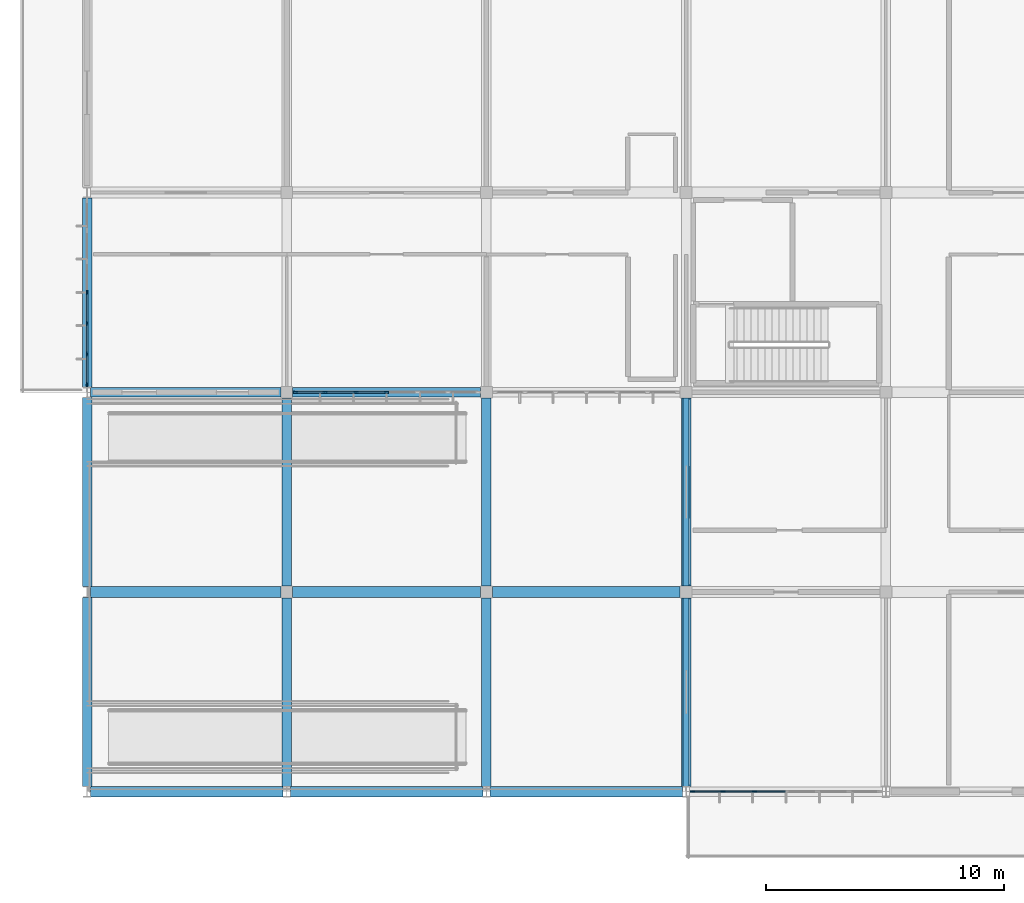
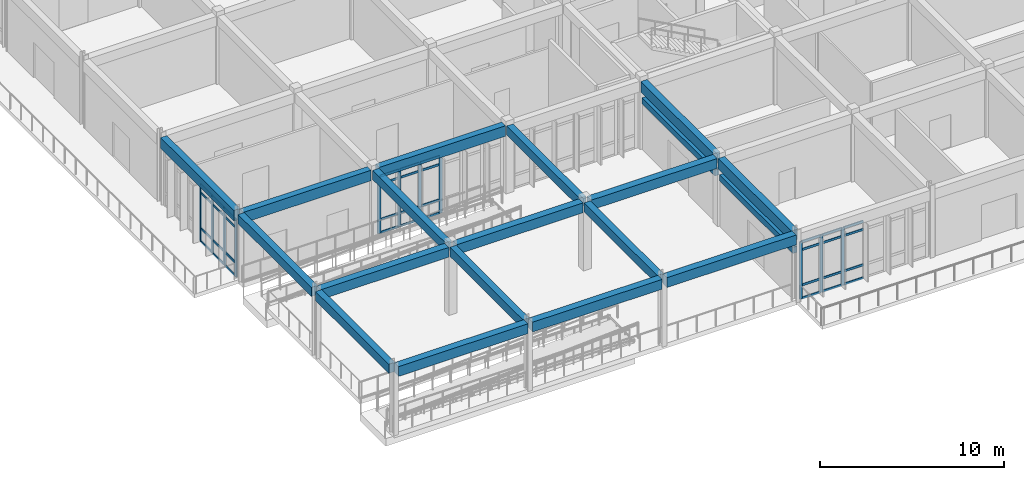
# One storey, part 10 of 138: 47 members, 19 beams, 3 elements without a shape of their own.
"""IFC4 building model written with IfcOpenShell, lengths in metres."""

from ifc_helpers import new_model, si_unit, direction, frame, origin, origin_2d, place, context, subcontext, project, spatial, rectangle, extrude, material, layer, layer_set, material_profile, profile_set, type_object, element, aggregate, save


model = new_model("IFC4")

# Units and contexts
model_context = context("Model", 3, precision=1e-05, world=origin(), true_north=direction((0.0, 1.0)))
body_context = subcontext(model_context, "Body", "Model", "MODEL_VIEW")
ifc_project = project(units=[si_unit("LENGTHUNIT", "METRE"), si_unit("AREAUNIT", "SQUARE_METRE"), si_unit("VOLUMEUNIT", "CUBIC_METRE"), si_unit("PLANEANGLEUNIT", "RADIAN"), si_unit("MASSUNIT", "GRAM", prefix="KILO")], contexts=[model_context])

# Site, building, storey
site_placement = place(None, origin())
site = spatial("IfcSite", under=ifc_project, at=site_placement, CompositionType="ELEMENT")
building_placement = place(site_placement, origin())
building = spatial("IfcBuilding", under=site, at=building_placement, Name="Bramfleet General Hospital", CompositionType="ELEMENT")
storey_placement = place(building_placement, origin())
storey = spatial("IfcBuildingStorey", under=building, at=storey_placement, Name="L00", CompositionType="ELEMENT", Elevation=0.0)

# Beams
ifc_material_1 = material(Name="Concrete C35/45", Category="concrete")
ifc_material_profile_1 = material_profile(ifc_material_1, rectangle(XDim=0.25, YDim=0.39990234375, at=origin_2d()), Name="RC LN 400x250")
ifc_profile_set_1 = profile_set([ifc_material_profile_1], Name="Concrete C35/45")
beam_type_1 = type_object("IfcBeamType", Name="BM-LN400", PredefinedType="LINTEL", material=ifc_profile_set_1)
beam_1_placement = place(storey_placement, frame((25.199951171875, 0.199951171875, 3.199951171875), z_axis=(0.0, 1.0, 0.0), x_axis=(-1.0, 0.0, 0.0)))
element("IfcBeam", 1, at=beam_1_placement, inside=storey, type_object=beam_type_1, Name="Portal Opening Lintel LN-L00-AMB-1", PredefinedType="LINTEL", context=body_context, shape_type="SweptSolid", body=[
    extrude(rectangle(XDim=0.25, YDim=0.39990234375, at=origin_2d()), origin(), (0.0, 0.0, 1.0), 7.949951171875),
])
beam_2_placement = place(storey_placement, frame((25.199951171875, 8.64990234375, 3.199951171875), z_axis=(0.0, 1.0, 0.0), x_axis=(-1.0, 0.0, 0.0)))
element("IfcBeam", 2, at=beam_2_placement, inside=storey, type_object=beam_type_1, Name="Portal Opening Lintel LN-L00-AMB-2", PredefinedType="LINTEL", context=body_context, shape_type="SweptSolid", body=[
    extrude(rectangle(XDim=0.25, YDim=0.39990234375, at=origin_2d()), origin(), (0.0, 0.0, 1.0), 7.900146484375),
])
ifc_material_profile_2 = material_profile(ifc_material_1, rectangle(XDim=0.39990234375, YDim=0.60009765625, at=origin_2d()), Name="RC BM 600x400")
ifc_profile_set_2 = profile_set([ifc_material_profile_2], Name="Concrete C35/45")
beam_type_2 = type_object("IfcBeamType", Name="BM-RC600", PredefinedType="BEAM", material=ifc_profile_set_2)
for number, where, z_axis, x_axis, name in (
    (3, (0.0, 0.22509765625, 4.199951171875), (0.0, 1.0, 0.0), (-1.0, 0.0, 0.0), "L00 Grid Beam Y 00-00"),
    (4, (0.0, 8.625, 4.199951171875), (0.0, 1.0, 0.0), (-1.0, 0.0, 0.0), "L00 Grid Beam Y 00-01"),
):
    element("IfcBeam", number, at=place(storey_placement, frame(where, z_axis=z_axis, x_axis=x_axis)), inside=storey, type_object=beam_type_2, Name=name, PredefinedType="BEAM", context=body_context, shape_type="SweptSolid", body=[
        extrude(rectangle(XDim=0.39990234375, YDim=0.60009765625, at=origin_2d()), origin(), (0.0, 0.0, 1.0), 7.949951171875),
    ])
beam_3_placement = place(storey_placement, frame((8.39990234375, 0.22509765625, 4.199951171875), z_axis=(0.0, 1.0, 0.0), x_axis=(-1.0, 0.0, 0.0)))
element("IfcBeam", 5, at=beam_3_placement, inside=storey, type_object=beam_type_2, Name="L00 Grid Beam Y 01-00", PredefinedType="BEAM", context=body_context, shape_type="SweptSolid", body=[
    extrude(rectangle(XDim=0.39990234375, YDim=0.60009765625, at=origin_2d()), origin(), (0.0, 0.0, 1.0), 7.9248046875),
])
beam_4_placement = place(storey_placement, frame((8.39990234375, 8.64990234375, 4.199951171875), z_axis=(0.0, 1.0, 0.0), x_axis=(-1.0, 0.0, 0.0)))
element("IfcBeam", 6, at=beam_4_placement, inside=storey, type_object=beam_type_2, Name="L00 Grid Beam Y 01-01", PredefinedType="BEAM", context=body_context, shape_type="SweptSolid", body=[
    extrude(rectangle(XDim=0.39990234375, YDim=0.60009765625, at=origin_2d()), origin(), (0.0, 0.0, 1.0), 7.900146484375),
])
beam_5_placement = place(storey_placement, frame((16.800048828125, 0.22509765625, 4.199951171875), z_axis=(0.0, 1.0, 0.0), x_axis=(-1.0, 0.0, 0.0)))
element("IfcBeam", 7, at=beam_5_placement, inside=storey, type_object=beam_type_2, Name="L00 Grid Beam Y 02-00", PredefinedType="BEAM", context=body_context, shape_type="SweptSolid", body=[
    extrude(rectangle(XDim=0.39990234375, YDim=0.60009765625, at=origin_2d()), origin(), (0.0, 0.0, 1.0), 7.9248046875),
])
beam_6_placement = place(storey_placement, frame((16.800048828125, 8.64990234375, 4.199951171875), z_axis=(0.0, 1.0, 0.0), x_axis=(-1.0, 0.0, 0.0)))
element("IfcBeam", 8, at=beam_6_placement, inside=storey, type_object=beam_type_2, Name="L00 Grid Beam Y 02-01", PredefinedType="BEAM", context=body_context, shape_type="SweptSolid", body=[
    extrude(rectangle(XDim=0.39990234375, YDim=0.60009765625, at=origin_2d()), origin(), (0.0, 0.0, 1.0), 7.900146484375),
])
ifc_material_profile_3 = material_profile(ifc_material_1, rectangle(XDim=0.449951171875, YDim=0.64990234375, at=origin_2d()), Name="RC BM 650x450")
ifc_profile_set_3 = profile_set([ifc_material_profile_3], Name="Concrete C35/45")
beam_type_3 = type_object("IfcBeamType", Name="BM-RC650", PredefinedType="BEAM", material=ifc_profile_set_3)
beam_7_placement = place(storey_placement, frame((0.14990234375, 0.0, 4.175048828125), z_axis=(1.0, 0.0, 0.0), x_axis=(0.0, 1.0, 0.0)))
element("IfcBeam", 9, at=beam_7_placement, inside=storey, type_object=beam_type_3, Name="L00 Grid Beam X 00-00", PredefinedType="BEAM", context=body_context, shape_type="SweptSolid", body=[
    extrude(rectangle(XDim=0.449951171875, YDim=0.64990234375, at=origin_2d()), origin(), (0.0, 0.0, 1.0), 8.10009765625),
])
beam_8_placement = place(storey_placement, frame((0.14990234375, 8.39990234375, 4.175048828125), z_axis=(1.0, 0.0, 0.0), x_axis=(0.0, 1.0, 0.0)))
element("IfcBeam", 10, at=beam_8_placement, inside=storey, type_object=beam_type_3, Name="L00 Grid Beam X 00-01", PredefinedType="BEAM", context=body_context, shape_type="SweptSolid", body=[
    extrude(rectangle(XDim=0.449951171875, YDim=0.64990234375, at=origin_2d()), origin(), (0.0, 0.0, 1.0), 8.0),
])
beam_9_placement = place(storey_placement, frame((8.550048828125, 0.0, 4.175048828125), z_axis=(1.0, 0.0, 0.0), x_axis=(0.0, 1.0, 0.0)))
element("IfcBeam", 11, at=beam_9_placement, inside=storey, type_object=beam_type_3, Name="L00 Grid Beam X 01-00", PredefinedType="BEAM", context=body_context, shape_type="SweptSolid", body=[
    extrude(rectangle(XDim=0.449951171875, YDim=0.64990234375, at=origin_2d()), origin(), (0.0, 0.0, 1.0), 8.099853515625),
])
beam_10_placement = place(storey_placement, frame((8.64990234375, 8.39990234375, 4.175048828125), z_axis=(1.0, 0.0, 0.0), x_axis=(0.0, 1.0, 0.0)))
element("IfcBeam", 12, at=beam_10_placement, inside=storey, type_object=beam_type_3, Name="L00 Grid Beam X 01-01", PredefinedType="BEAM", context=body_context, shape_type="SweptSolid", body=[
    extrude(rectangle(XDim=0.449951171875, YDim=0.64990234375, at=origin_2d()), origin(), (0.0, 0.0, 1.0), 7.900146484375),
])
beam_11_placement = place(storey_placement, frame((16.949951171875, 0.0, 4.175048828125), z_axis=(1.0, 0.0, 0.0), x_axis=(0.0, 1.0, 0.0)))
element("IfcBeam", 13, at=beam_11_placement, inside=storey, type_object=beam_type_3, Name="L00 Grid Beam X 02-00", PredefinedType="BEAM", context=body_context, shape_type="SweptSolid", body=[
    extrude(rectangle(XDim=0.449951171875, YDim=0.64990234375, at=origin_2d()), origin(), (0.0, 0.0, 1.0), 8.10009765625),
])
beam_12_placement = place(storey_placement, frame((17.050048828125, 8.39990234375, 4.175048828125), z_axis=(1.0, 0.0, 0.0), x_axis=(0.0, 1.0, 0.0)))
element("IfcBeam", 14, at=beam_12_placement, inside=storey, type_object=beam_type_3, Name="L00 Grid Beam X 02-01", PredefinedType="BEAM", context=body_context, shape_type="SweptSolid", body=[
    extrude(rectangle(XDim=0.449951171875, YDim=0.64990234375, at=origin_2d()), origin(), (0.0, 0.0, 1.0), 7.89990234375),
])
ifc_material_profile_4 = material_profile(ifc_material_1, rectangle(XDim=0.39990234375, YDim=0.699951171875, at=origin_2d()), Name="RC SP 700x400")
ifc_profile_set_4 = profile_set([ifc_material_profile_4], Name="Concrete C35/45")
beam_type_4 = type_object("IfcBeamType", Name="BM-SP700", PredefinedType="SPANDREL", material=ifc_profile_set_4)
beam_13_placement = place(storey_placement, frame((0.14990234375, 16.800048828125, 4.14990234375), z_axis=(1.0, 0.0, 0.0), x_axis=(0.0, 1.0, 0.0)))
element("IfcBeam", 15, at=beam_13_placement, inside=storey, type_object=beam_type_4, Name="L00 Grid Beam X 00-02", PredefinedType="SPANDREL", context=body_context, shape_type="SweptSolid", body=[
    extrude(rectangle(XDim=0.39990234375, YDim=0.699951171875, at=origin_2d()), origin(), (0.0, 0.0, 1.0), 8.0),
])
beam_14_placement = place(storey_placement, frame((8.64990234375, 16.800048828125, 4.14990234375), z_axis=(1.0, 0.0, 0.0), x_axis=(0.0, 1.0, 0.0)))
element("IfcBeam", 16, at=beam_14_placement, inside=storey, type_object=beam_type_4, Name="L00 Grid Beam X 01-02", PredefinedType="SPANDREL", context=body_context, shape_type="SweptSolid", body=[
    extrude(rectangle(XDim=0.39990234375, YDim=0.699951171875, at=origin_2d()), origin(), (0.0, 0.0, 1.0), 7.900146484375),
])
beam_15_placement = place(storey_placement, frame((0.0, 17.02490234375, 4.14990234375), z_axis=(0.0, 1.0, 0.0), x_axis=(-1.0, 0.0, 0.0)))
element("IfcBeam", 17, at=beam_15_placement, inside=storey, type_object=beam_type_4, Name="L00 Grid Beam Y 00-02", PredefinedType="SPANDREL", context=body_context, shape_type="SweptSolid", body=[
    extrude(rectangle(XDim=0.39990234375, YDim=0.699951171875, at=origin_2d()), origin(), (0.0, 0.0, 1.0), 7.9501953125),
])
beam_16_placement = place(storey_placement, frame((25.199951171875, 0.22509765625, 4.14990234375), z_axis=(0.0, 1.0, 0.0), x_axis=(-1.0, 0.0, 0.0)))
element("IfcBeam", 18, at=beam_16_placement, inside=storey, type_object=beam_type_4, Name="L00 Grid Beam Y 03-00", PredefinedType="SPANDREL", context=body_context, shape_type="SweptSolid", body=[
    extrude(rectangle(XDim=0.39990234375, YDim=0.699951171875, at=origin_2d()), origin(), (0.0, 0.0, 1.0), 7.9248046875),
])
beam_17_placement = place(storey_placement, frame((25.199951171875, 8.64990234375, 4.14990234375), z_axis=(0.0, 1.0, 0.0), x_axis=(-1.0, 0.0, 0.0)))
element("IfcBeam", 19, at=beam_17_placement, inside=storey, type_object=beam_type_4, Name="L00 Grid Beam Y 03-01", PredefinedType="SPANDREL", context=body_context, shape_type="SweptSolid", body=[
    extrude(rectangle(XDim=0.39990234375, YDim=0.699951171875, at=origin_2d()), origin(), (0.0, 0.0, 1.0), 7.900146484375),
])

# Curtain wall, members
ifc_material_2 = material(Name="Anodised aluminium and low-E triple glazing", Category="aluminium")
ifc_layer_1 = layer(ifc_material_2, 0.179931640625, Name="CWT-CW-02")
ifc_layer_set_1 = layer_set([ifc_layer_1], Name="Anodised aluminium and low-E triple glazing")
curtain_wall_type_1 = type_object("IfcCurtainWallType", Name="CWT-CW-02", PredefinedType="USERDEFINED", material=ifc_layer_set_1)
curtain_wall_1_placement = place(storey_placement, origin())
curtain_wall_1 = element("IfcCurtainWall", 20, at=curtain_wall_1_placement, inside=storey, type_object=curtain_wall_type_1, Name="L00 Curtain Wall 38", ObjectType="Unitised curtain wall", PredefinedType="USERDEFINED")
ifc_material_3 = material(Name="Structural timber GL28h", Category="wood")
ifc_material_profile_5 = material_profile(ifc_material_3, rectangle(XDim=0.070068359375, YDim=0.18994140625, at=origin_2d()), Name="LARCH 190x70")
ifc_profile_set_5 = profile_set([ifc_material_profile_5], Name="Structural timber GL28h")
member_type_1 = type_object("IfcMemberType", Name="CWM-LARCH450", PredefinedType="MULLION", material=ifc_profile_set_5)
member_1_placement = place(storey_placement, frame((28.074951171875, 0.0, 0.0), z_axis=(0.0, 0.0, 1.0), x_axis=(0.0, -1.0, 0.0)))
member_1 = element("IfcMember", 21, at=member_1_placement, type_object=member_type_1, Name="CW-02 mullion 5", PredefinedType="MULLION", context=body_context, shape_type="SweptSolid", body=[
    extrude(rectangle(XDim=0.070068359375, YDim=0.18994140625, at=origin_2d()), origin(), (0.0, 0.0, 1.0), 3.7900390625),
])
member_2_placement = place(storey_placement, frame((26.75, 0.0, 0.0), z_axis=(0.0, 0.0, 1.0), x_axis=(0.0, -1.0, 0.0)))
member_2 = element("IfcMember", 22, at=member_2_placement, type_object=member_type_1, Name="CW-02 mullion 6", PredefinedType="MULLION", context=body_context, shape_type="SweptSolid", body=[
    extrude(rectangle(XDim=0.070068359375, YDim=0.18994140625, at=origin_2d()), origin(), (0.0, 0.0, 1.0), 3.7900390625),
])
member_3_placement = place(storey_placement, frame((25.4599609375, 0.0, 0.0), z_axis=(0.0, 0.0, 1.0), x_axis=(0.0, -1.0, 0.0)))
member_3 = element("IfcMember", 23, at=member_3_placement, type_object=member_type_1, Name="CW-02 mullion 7", PredefinedType="MULLION", context=body_context, shape_type="SweptSolid", body=[
    extrude(rectangle(XDim=0.070068359375, YDim=0.18994140625, at=origin_2d()), origin(), (0.0, 0.0, 1.0), 3.7900390625),
])

ifc_layer_2 = layer(ifc_material_2, 0.179931640625, Name="CWT-CW-04")
ifc_layer_set_2 = layer_set([ifc_layer_2], Name="Anodised aluminium and low-E triple glazing")
curtain_wall_type_2 = type_object("IfcCurtainWallType", Name="CWT-CW-04", PredefinedType="USERDEFINED", material=ifc_layer_set_2)
curtain_wall_2_placement = place(storey_placement, origin())
curtain_wall_2 = element("IfcCurtainWall", 24, at=curtain_wall_2_placement, inside=storey, type_object=curtain_wall_type_2, Name="L00 Curtain Wall 40", ObjectType="Unitised curtain wall", PredefinedType="USERDEFINED")
member_4_placement = place(storey_placement, frame((12.60009765625, 16.800048828125, 0.0), z_axis=(0.0, 0.0, 1.0), x_axis=(0.0, -1.0, 0.0)))
member_4 = element("IfcMember", 25, at=member_4_placement, type_object=member_type_1, Name="CW-04 mullion 4", PredefinedType="MULLION", context=body_context, shape_type="SweptSolid", body=[
    extrude(rectangle(XDim=0.070068359375, YDim=0.18994140625, at=origin_2d()), origin(), (0.0, 0.0, 1.0), 3.7900390625),
])
member_5_placement = place(storey_placement, frame((11.308349609375, 16.800048828125, 0.0), z_axis=(0.0, 0.0, 1.0), x_axis=(0.0, -1.0, 0.0)))
member_5 = element("IfcMember", 26, at=member_5_placement, type_object=member_type_1, Name="CW-04 mullion 5", PredefinedType="MULLION", context=body_context, shape_type="SweptSolid", body=[
    extrude(rectangle(XDim=0.070068359375, YDim=0.18994140625, at=origin_2d()), origin(), (0.0, 0.0, 1.0), 3.7900390625),
])
member_6_placement = place(storey_placement, frame((10.0166015625, 16.800048828125, 0.0), z_axis=(0.0, 0.0, 1.0), x_axis=(0.0, -1.0, 0.0)))
member_6 = element("IfcMember", 27, at=member_6_placement, type_object=member_type_1, Name="CW-04 mullion 6", PredefinedType="MULLION", context=body_context, shape_type="SweptSolid", body=[
    extrude(rectangle(XDim=0.070068359375, YDim=0.18994140625, at=origin_2d()), origin(), (0.0, 0.0, 1.0), 3.7900390625),
])
member_7_placement = place(storey_placement, frame((8.760009765625, 16.800048828125, 0.0), z_axis=(0.0, 0.0, 1.0), x_axis=(0.0, -1.0, 0.0)))
member_7 = element("IfcMember", 28, at=member_7_placement, type_object=member_type_1, Name="CW-04 mullion 7", PredefinedType="MULLION", context=body_context, shape_type="SweptSolid", body=[
    extrude(rectangle(XDim=0.070068359375, YDim=0.18994140625, at=origin_2d()), origin(), (0.0, 0.0, 1.0), 3.7900390625),
])

ifc_layer_3 = layer(ifc_material_2, 0.179931640625, Name="CWT-CW-05")
ifc_layer_set_3 = layer_set([ifc_layer_3], Name="Anodised aluminium and low-E triple glazing")
curtain_wall_type_3 = type_object("IfcCurtainWallType", Name="CWT-CW-05", PredefinedType="USERDEFINED", material=ifc_layer_set_3)
curtain_wall_3_placement = place(storey_placement, origin())
curtain_wall_3 = element("IfcCurtainWall", 29, at=curtain_wall_3_placement, inside=storey, type_object=curtain_wall_type_3, Name="L00 Curtain Wall 41", ObjectType="Unitised curtain wall", PredefinedType="USERDEFINED")
member_8_placement = place(storey_placement, frame((0.0, 17.135009765625, 0.0), z_axis=(0.0, 0.0, 1.0), x_axis=(-1.0, 0.0, 0.0)))
member_8 = element("IfcMember", 30, at=member_8_placement, type_object=member_type_1, Name="CW-05 mullion 1", PredefinedType="MULLION", context=body_context, shape_type="SweptSolid", body=[
    extrude(rectangle(XDim=0.070068359375, YDim=0.18994140625, at=origin_2d()), origin(), (0.0, 0.0, 1.0), 3.7900390625),
])
member_9_placement = place(storey_placement, frame((0.0, 18.39990234375, 0.0), z_axis=(0.0, 0.0, 1.0), x_axis=(-1.0, 0.0, 0.0)))
member_9 = element("IfcMember", 31, at=member_9_placement, type_object=member_type_1, Name="CW-05 mullion 2", PredefinedType="MULLION", context=body_context, shape_type="SweptSolid", body=[
    extrude(rectangle(XDim=0.070068359375, YDim=0.18994140625, at=origin_2d()), origin(), (0.0, 0.0, 1.0), 3.7900390625),
])
member_10_placement = place(storey_placement, frame((0.0, 19.699951171875, 0.0), z_axis=(0.0, 0.0, 1.0), x_axis=(-1.0, 0.0, 0.0)))
member_10 = element("IfcMember", 32, at=member_10_placement, type_object=member_type_1, Name="CW-05 mullion 3", PredefinedType="MULLION", context=body_context, shape_type="SweptSolid", body=[
    extrude(rectangle(XDim=0.070068359375, YDim=0.18994140625, at=origin_2d()), origin(), (0.0, 0.0, 1.0), 3.7900390625),
])
member_11_placement = place(storey_placement, frame((0.0, 21.0, 0.0), z_axis=(0.0, 0.0, 1.0), x_axis=(-1.0, 0.0, 0.0)))
member_11 = element("IfcMember", 33, at=member_11_placement, type_object=member_type_1, Name="CW-05 mullion 4", PredefinedType="MULLION", context=body_context, shape_type="SweptSolid", body=[
    extrude(rectangle(XDim=0.070068359375, YDim=0.18994140625, at=origin_2d()), origin(), (0.0, 0.0, 1.0), 3.7900390625),
])

# Member
ifc_material_profile_6 = material_profile(ifc_material_3, rectangle(XDim=0.06494140625, YDim=0.14990234375, at=origin_2d()), Name="LARCH 150x65")
ifc_profile_set_6 = profile_set([ifc_material_profile_6], Name="Structural timber GL28h")
member_type_2 = type_object("IfcMemberType", Name="CWT-LARCH220", PredefinedType="USERDEFINED", material=ifc_profile_set_6)
member_12_placement = place(storey_placement, frame((29.364990234375, 0.0, 0.032470703125), z_axis=(-1.0, 0.0, 0.0), x_axis=(0.0, -1.0, 0.0)))
member_12 = element("IfcMember", 34, at=member_12_placement, type_object=member_type_2, Name="CW-02 transom 4.1", ObjectType="TRANSOM", PredefinedType="USERDEFINED", context=body_context, shape_type="SweptSolid", body=[
    extrude(rectangle(XDim=0.06494140625, YDim=0.14990234375, at=origin_2d()), origin(), (0.0, 0.0, 1.0), 1.2548828125),
])

member_13_placement = place(storey_placement, frame((29.364990234375, 0.0, 0.89990234375), z_axis=(-1.0, 0.0, 0.0), x_axis=(0.0, -1.0, 0.0)))
member_13 = element("IfcMember", 35, at=member_13_placement, type_object=member_type_2, Name="CW-02 transom 4.2", ObjectType="TRANSOM", PredefinedType="USERDEFINED", context=body_context, shape_type="SweptSolid", body=[
    extrude(rectangle(XDim=0.06494140625, YDim=0.14990234375, at=origin_2d()), origin(), (0.0, 0.0, 1.0), 1.2548828125),
])

member_14_placement = place(storey_placement, frame((29.364990234375, 0.0, 3.239990234375), z_axis=(-1.0, 0.0, 0.0), x_axis=(0.0, -1.0, 0.0)))
member_14 = element("IfcMember", 36, at=member_14_placement, type_object=member_type_2, Name="CW-02 transom 4.3", ObjectType="TRANSOM", PredefinedType="USERDEFINED", context=body_context, shape_type="SweptSolid", body=[
    extrude(rectangle(XDim=0.06494140625, YDim=0.14990234375, at=origin_2d()), origin(), (0.0, 0.0, 1.0), 1.2548828125),
])

member_15_placement = place(storey_placement, frame((29.364990234375, 0.0, 3.757568359375), z_axis=(-1.0, 0.0, 0.0), x_axis=(0.0, -1.0, 0.0)))
member_15 = element("IfcMember", 37, at=member_15_placement, type_object=member_type_2, Name="CW-02 transom 4.4", ObjectType="TRANSOM", PredefinedType="USERDEFINED", context=body_context, shape_type="SweptSolid", body=[
    extrude(rectangle(XDim=0.06494140625, YDim=0.14990234375, at=origin_2d()), origin(), (0.0, 0.0, 1.0), 1.2548828125),
])

member_16_placement = place(storey_placement, frame((28.0400390625, 0.0, 0.032470703125), z_axis=(-1.0, 0.0, 0.0), x_axis=(0.0, -1.0, 0.0)))
member_16 = element("IfcMember", 38, at=member_16_placement, type_object=member_type_2, Name="CW-02 transom 5.1", ObjectType="TRANSOM", PredefinedType="USERDEFINED", context=body_context, shape_type="SweptSolid", body=[
    extrude(rectangle(XDim=0.06494140625, YDim=0.14990234375, at=origin_2d()), origin(), (0.0, 0.0, 1.0), 1.255126953125),
])

member_17_placement = place(storey_placement, frame((28.0400390625, 0.0, 0.89990234375), z_axis=(-1.0, 0.0, 0.0), x_axis=(0.0, -1.0, 0.0)))
member_17 = element("IfcMember", 39, at=member_17_placement, type_object=member_type_2, Name="CW-02 transom 5.2", ObjectType="TRANSOM", PredefinedType="USERDEFINED", context=body_context, shape_type="SweptSolid", body=[
    extrude(rectangle(XDim=0.06494140625, YDim=0.14990234375, at=origin_2d()), origin(), (0.0, 0.0, 1.0), 1.255126953125),
])

member_18_placement = place(storey_placement, frame((28.0400390625, 0.0, 3.239990234375), z_axis=(-1.0, 0.0, 0.0), x_axis=(0.0, -1.0, 0.0)))
member_18 = element("IfcMember", 40, at=member_18_placement, type_object=member_type_2, Name="CW-02 transom 5.3", ObjectType="TRANSOM", PredefinedType="USERDEFINED", context=body_context, shape_type="SweptSolid", body=[
    extrude(rectangle(XDim=0.06494140625, YDim=0.14990234375, at=origin_2d()), origin(), (0.0, 0.0, 1.0), 1.255126953125),
])

member_19_placement = place(storey_placement, frame((28.0400390625, 0.0, 3.757568359375), z_axis=(-1.0, 0.0, 0.0), x_axis=(0.0, -1.0, 0.0)))
member_19 = element("IfcMember", 41, at=member_19_placement, type_object=member_type_2, Name="CW-02 transom 5.4", ObjectType="TRANSOM", PredefinedType="USERDEFINED", context=body_context, shape_type="SweptSolid", body=[
    extrude(rectangle(XDim=0.06494140625, YDim=0.14990234375, at=origin_2d()), origin(), (0.0, 0.0, 1.0), 1.255126953125),
])

member_20_placement = place(storey_placement, frame((26.715087890625, 0.0, 0.032470703125), z_axis=(-1.0, 0.0, 0.0), x_axis=(0.0, -1.0, 0.0)))
member_20 = element("IfcMember", 42, at=member_20_placement, type_object=member_type_2, Name="CW-02 transom 6.1", ObjectType="TRANSOM", PredefinedType="USERDEFINED", context=body_context, shape_type="SweptSolid", body=[
    extrude(rectangle(XDim=0.06494140625, YDim=0.14990234375, at=origin_2d()), origin(), (0.0, 0.0, 1.0), 1.219970703125),
])

member_21_placement = place(storey_placement, frame((26.715087890625, 0.0, 0.89990234375), z_axis=(-1.0, 0.0, 0.0), x_axis=(0.0, -1.0, 0.0)))
member_21 = element("IfcMember", 43, at=member_21_placement, type_object=member_type_2, Name="CW-02 transom 6.2", ObjectType="TRANSOM", PredefinedType="USERDEFINED", context=body_context, shape_type="SweptSolid", body=[
    extrude(rectangle(XDim=0.06494140625, YDim=0.14990234375, at=origin_2d()), origin(), (0.0, 0.0, 1.0), 1.219970703125),
])

member_22_placement = place(storey_placement, frame((26.715087890625, 0.0, 3.239990234375), z_axis=(-1.0, 0.0, 0.0), x_axis=(0.0, -1.0, 0.0)))
member_22 = element("IfcMember", 44, at=member_22_placement, type_object=member_type_2, Name="CW-02 transom 6.3", ObjectType="TRANSOM", PredefinedType="USERDEFINED", context=body_context, shape_type="SweptSolid", body=[
    extrude(rectangle(XDim=0.06494140625, YDim=0.14990234375, at=origin_2d()), origin(), (0.0, 0.0, 1.0), 1.219970703125),
])

member_23_placement = place(storey_placement, frame((26.715087890625, 0.0, 3.757568359375), z_axis=(-1.0, 0.0, 0.0), x_axis=(0.0, -1.0, 0.0)))
member_23 = element("IfcMember", 45, at=member_23_placement, type_object=member_type_2, Name="CW-02 transom 6.4", ObjectType="TRANSOM", PredefinedType="USERDEFINED", context=body_context, shape_type="SweptSolid", body=[
    extrude(rectangle(XDim=0.06494140625, YDim=0.14990234375, at=origin_2d()), origin(), (0.0, 0.0, 1.0), 1.219970703125),
])

aggregate(curtain_wall_1, [member_1, member_2, member_3, member_12, member_13, member_14, member_15, member_16, member_17, member_18, member_19, member_20, member_21, member_22, member_23])

member_24_placement = place(storey_placement, frame((12.56494140625, 16.800048828125, 0.032470703125), z_axis=(-1.0, 0.0, 0.0), x_axis=(0.0, -1.0, 0.0)))
member_24 = element("IfcMember", 46, at=member_24_placement, type_object=member_type_2, Name="CW-04 transom 4.1", ObjectType="TRANSOM", PredefinedType="USERDEFINED", context=body_context, shape_type="SweptSolid", body=[
    extrude(rectangle(XDim=0.06494140625, YDim=0.14990234375, at=origin_2d()), origin(), (0.0, 0.0, 1.0), 1.2216796875),
])

member_25_placement = place(storey_placement, frame((12.56494140625, 16.800048828125, 0.89990234375), z_axis=(-1.0, 0.0, 0.0), x_axis=(0.0, -1.0, 0.0)))
member_25 = element("IfcMember", 47, at=member_25_placement, type_object=member_type_2, Name="CW-04 transom 4.2", ObjectType="TRANSOM", PredefinedType="USERDEFINED", context=body_context, shape_type="SweptSolid", body=[
    extrude(rectangle(XDim=0.06494140625, YDim=0.14990234375, at=origin_2d()), origin(), (0.0, 0.0, 1.0), 1.2216796875),
])

member_26_placement = place(storey_placement, frame((12.56494140625, 16.800048828125, 3.239990234375), z_axis=(-1.0, 0.0, 0.0), x_axis=(0.0, -1.0, 0.0)))
member_26 = element("IfcMember", 48, at=member_26_placement, type_object=member_type_2, Name="CW-04 transom 4.3", ObjectType="TRANSOM", PredefinedType="USERDEFINED", context=body_context, shape_type="SweptSolid", body=[
    extrude(rectangle(XDim=0.06494140625, YDim=0.14990234375, at=origin_2d()), origin(), (0.0, 0.0, 1.0), 1.2216796875),
])

member_27_placement = place(storey_placement, frame((12.56494140625, 16.800048828125, 3.757568359375), z_axis=(-1.0, 0.0, 0.0), x_axis=(0.0, -1.0, 0.0)))
member_27 = element("IfcMember", 49, at=member_27_placement, type_object=member_type_2, Name="CW-04 transom 4.4", ObjectType="TRANSOM", PredefinedType="USERDEFINED", context=body_context, shape_type="SweptSolid", body=[
    extrude(rectangle(XDim=0.06494140625, YDim=0.14990234375, at=origin_2d()), origin(), (0.0, 0.0, 1.0), 1.2216796875),
])

member_28_placement = place(storey_placement, frame((11.2734375, 16.800048828125, 0.032470703125), z_axis=(-1.0, 0.0, 0.0), x_axis=(0.0, -1.0, 0.0)))
member_28 = element("IfcMember", 50, at=member_28_placement, type_object=member_type_2, Name="CW-04 transom 5.1", ObjectType="TRANSOM", PredefinedType="USERDEFINED", context=body_context, shape_type="SweptSolid", body=[
    extrude(rectangle(XDim=0.06494140625, YDim=0.14990234375, at=origin_2d()), origin(), (0.0, 0.0, 1.0), 1.2216796875),
])

member_29_placement = place(storey_placement, frame((11.2734375, 16.800048828125, 0.89990234375), z_axis=(-1.0, 0.0, 0.0), x_axis=(0.0, -1.0, 0.0)))
member_29 = element("IfcMember", 51, at=member_29_placement, type_object=member_type_2, Name="CW-04 transom 5.2", ObjectType="TRANSOM", PredefinedType="USERDEFINED", context=body_context, shape_type="SweptSolid", body=[
    extrude(rectangle(XDim=0.06494140625, YDim=0.14990234375, at=origin_2d()), origin(), (0.0, 0.0, 1.0), 1.2216796875),
])

member_30_placement = place(storey_placement, frame((11.2734375, 16.800048828125, 3.239990234375), z_axis=(-1.0, 0.0, 0.0), x_axis=(0.0, -1.0, 0.0)))
member_30 = element("IfcMember", 52, at=member_30_placement, type_object=member_type_2, Name="CW-04 transom 5.3", ObjectType="TRANSOM", PredefinedType="USERDEFINED", context=body_context, shape_type="SweptSolid", body=[
    extrude(rectangle(XDim=0.06494140625, YDim=0.14990234375, at=origin_2d()), origin(), (0.0, 0.0, 1.0), 1.2216796875),
])

member_31_placement = place(storey_placement, frame((11.2734375, 16.800048828125, 3.757568359375), z_axis=(-1.0, 0.0, 0.0), x_axis=(0.0, -1.0, 0.0)))
member_31 = element("IfcMember", 53, at=member_31_placement, type_object=member_type_2, Name="CW-04 transom 5.4", ObjectType="TRANSOM", PredefinedType="USERDEFINED", context=body_context, shape_type="SweptSolid", body=[
    extrude(rectangle(XDim=0.06494140625, YDim=0.14990234375, at=origin_2d()), origin(), (0.0, 0.0, 1.0), 1.2216796875),
])

member_32_placement = place(storey_placement, frame((9.981689453125, 16.800048828125, 0.032470703125), z_axis=(-1.0, 0.0, 0.0), x_axis=(0.0, -1.0, 0.0)))
member_32 = element("IfcMember", 54, at=member_32_placement, type_object=member_type_2, Name="CW-04 transom 6.1", ObjectType="TRANSOM", PredefinedType="USERDEFINED", context=body_context, shape_type="SweptSolid", body=[
    extrude(rectangle(XDim=0.06494140625, YDim=0.14990234375, at=origin_2d()), origin(), (0.0, 0.0, 1.0), 1.186767578125),
])

member_33_placement = place(storey_placement, frame((9.981689453125, 16.800048828125, 0.89990234375), z_axis=(-1.0, 0.0, 0.0), x_axis=(0.0, -1.0, 0.0)))
member_33 = element("IfcMember", 55, at=member_33_placement, type_object=member_type_2, Name="CW-04 transom 6.2", ObjectType="TRANSOM", PredefinedType="USERDEFINED", context=body_context, shape_type="SweptSolid", body=[
    extrude(rectangle(XDim=0.06494140625, YDim=0.14990234375, at=origin_2d()), origin(), (0.0, 0.0, 1.0), 1.186767578125),
])

member_34_placement = place(storey_placement, frame((9.981689453125, 16.800048828125, 3.239990234375), z_axis=(-1.0, 0.0, 0.0), x_axis=(0.0, -1.0, 0.0)))
member_34 = element("IfcMember", 56, at=member_34_placement, type_object=member_type_2, Name="CW-04 transom 6.3", ObjectType="TRANSOM", PredefinedType="USERDEFINED", context=body_context, shape_type="SweptSolid", body=[
    extrude(rectangle(XDim=0.06494140625, YDim=0.14990234375, at=origin_2d()), origin(), (0.0, 0.0, 1.0), 1.186767578125),
])

member_35_placement = place(storey_placement, frame((9.981689453125, 16.800048828125, 3.757568359375), z_axis=(-1.0, 0.0, 0.0), x_axis=(0.0, -1.0, 0.0)))
member_35 = element("IfcMember", 57, at=member_35_placement, type_object=member_type_2, Name="CW-04 transom 6.4", ObjectType="TRANSOM", PredefinedType="USERDEFINED", context=body_context, shape_type="SweptSolid", body=[
    extrude(rectangle(XDim=0.06494140625, YDim=0.14990234375, at=origin_2d()), origin(), (0.0, 0.0, 1.0), 1.186767578125),
])

aggregate(curtain_wall_2, [member_4, member_5, member_6, member_7, member_24, member_25, member_26, member_27, member_28, member_29, member_30, member_31, member_32, member_33, member_34, member_35])

member_36_placement = place(storey_placement, frame((0.0, 17.169921875, 0.032470703125), z_axis=(0.0, 1.0, 0.0), x_axis=(-1.0, 0.0, 0.0)))
member_36 = element("IfcMember", 58, at=member_36_placement, type_object=member_type_2, Name="CW-05 transom 1.1", ObjectType="TRANSOM", PredefinedType="USERDEFINED", context=body_context, shape_type="SweptSolid", body=[
    extrude(rectangle(XDim=0.06494140625, YDim=0.14990234375, at=origin_2d()), origin(), (0.0, 0.0, 1.0), 1.195068359375),
])

member_37_placement = place(storey_placement, frame((0.0, 17.169921875, 0.89990234375), z_axis=(0.0, 1.0, 0.0), x_axis=(-1.0, 0.0, 0.0)))
member_37 = element("IfcMember", 59, at=member_37_placement, type_object=member_type_2, Name="CW-05 transom 1.2", ObjectType="TRANSOM", PredefinedType="USERDEFINED", context=body_context, shape_type="SweptSolid", body=[
    extrude(rectangle(XDim=0.06494140625, YDim=0.14990234375, at=origin_2d()), origin(), (0.0, 0.0, 1.0), 1.195068359375),
])

member_38_placement = place(storey_placement, frame((0.0, 17.169921875, 3.239990234375), z_axis=(0.0, 1.0, 0.0), x_axis=(-1.0, 0.0, 0.0)))
member_38 = element("IfcMember", 60, at=member_38_placement, type_object=member_type_2, Name="CW-05 transom 1.3", ObjectType="TRANSOM", PredefinedType="USERDEFINED", context=body_context, shape_type="SweptSolid", body=[
    extrude(rectangle(XDim=0.06494140625, YDim=0.14990234375, at=origin_2d()), origin(), (0.0, 0.0, 1.0), 1.195068359375),
])

member_39_placement = place(storey_placement, frame((0.0, 17.169921875, 3.757568359375), z_axis=(0.0, 1.0, 0.0), x_axis=(-1.0, 0.0, 0.0)))
member_39 = element("IfcMember", 61, at=member_39_placement, type_object=member_type_2, Name="CW-05 transom 1.4", ObjectType="TRANSOM", PredefinedType="USERDEFINED", context=body_context, shape_type="SweptSolid", body=[
    extrude(rectangle(XDim=0.06494140625, YDim=0.14990234375, at=origin_2d()), origin(), (0.0, 0.0, 1.0), 1.195068359375),
])

member_40_placement = place(storey_placement, frame((0.0, 18.43505859375, 0.032470703125), z_axis=(0.0, 1.0, 0.0), x_axis=(-1.0, 0.0, 0.0)))
member_40 = element("IfcMember", 62, at=member_40_placement, type_object=member_type_2, Name="CW-05 transom 2.1", ObjectType="TRANSOM", PredefinedType="USERDEFINED", context=body_context, shape_type="SweptSolid", body=[
    extrude(rectangle(XDim=0.06494140625, YDim=0.14990234375, at=origin_2d()), origin(), (0.0, 0.0, 1.0), 1.22998046875),
])

member_41_placement = place(storey_placement, frame((0.0, 18.43505859375, 0.89990234375), z_axis=(0.0, 1.0, 0.0), x_axis=(-1.0, 0.0, 0.0)))
member_41 = element("IfcMember", 63, at=member_41_placement, type_object=member_type_2, Name="CW-05 transom 2.2", ObjectType="TRANSOM", PredefinedType="USERDEFINED", context=body_context, shape_type="SweptSolid", body=[
    extrude(rectangle(XDim=0.06494140625, YDim=0.14990234375, at=origin_2d()), origin(), (0.0, 0.0, 1.0), 1.22998046875),
])

member_42_placement = place(storey_placement, frame((0.0, 18.43505859375, 3.239990234375), z_axis=(0.0, 1.0, 0.0), x_axis=(-1.0, 0.0, 0.0)))
member_42 = element("IfcMember", 64, at=member_42_placement, type_object=member_type_2, Name="CW-05 transom 2.3", ObjectType="TRANSOM", PredefinedType="USERDEFINED", context=body_context, shape_type="SweptSolid", body=[
    extrude(rectangle(XDim=0.06494140625, YDim=0.14990234375, at=origin_2d()), origin(), (0.0, 0.0, 1.0), 1.22998046875),
])

member_43_placement = place(storey_placement, frame((0.0, 18.43505859375, 3.757568359375), z_axis=(0.0, 1.0, 0.0), x_axis=(-1.0, 0.0, 0.0)))
member_43 = element("IfcMember", 65, at=member_43_placement, type_object=member_type_2, Name="CW-05 transom 2.4", ObjectType="TRANSOM", PredefinedType="USERDEFINED", context=body_context, shape_type="SweptSolid", body=[
    extrude(rectangle(XDim=0.06494140625, YDim=0.14990234375, at=origin_2d()), origin(), (0.0, 0.0, 1.0), 1.22998046875),
])

member_44_placement = place(storey_placement, frame((0.0, 19.735107421875, 0.032470703125), z_axis=(0.0, 1.0, 0.0), x_axis=(-1.0, 0.0, 0.0)))
member_44 = element("IfcMember", 66, at=member_44_placement, type_object=member_type_2, Name="CW-05 transom 3.1", ObjectType="TRANSOM", PredefinedType="USERDEFINED", context=body_context, shape_type="SweptSolid", body=[
    extrude(rectangle(XDim=0.06494140625, YDim=0.14990234375, at=origin_2d()), origin(), (0.0, 0.0, 1.0), 1.22998046875),
])

member_45_placement = place(storey_placement, frame((0.0, 19.735107421875, 0.89990234375), z_axis=(0.0, 1.0, 0.0), x_axis=(-1.0, 0.0, 0.0)))
member_45 = element("IfcMember", 67, at=member_45_placement, type_object=member_type_2, Name="CW-05 transom 3.2", ObjectType="TRANSOM", PredefinedType="USERDEFINED", context=body_context, shape_type="SweptSolid", body=[
    extrude(rectangle(XDim=0.06494140625, YDim=0.14990234375, at=origin_2d()), origin(), (0.0, 0.0, 1.0), 1.22998046875),
])

member_46_placement = place(storey_placement, frame((0.0, 19.735107421875, 3.239990234375), z_axis=(0.0, 1.0, 0.0), x_axis=(-1.0, 0.0, 0.0)))
member_46 = element("IfcMember", 68, at=member_46_placement, type_object=member_type_2, Name="CW-05 transom 3.3", ObjectType="TRANSOM", PredefinedType="USERDEFINED", context=body_context, shape_type="SweptSolid", body=[
    extrude(rectangle(XDim=0.06494140625, YDim=0.14990234375, at=origin_2d()), origin(), (0.0, 0.0, 1.0), 1.22998046875),
])

member_47_placement = place(storey_placement, frame((0.0, 19.735107421875, 3.757568359375), z_axis=(0.0, 1.0, 0.0), x_axis=(-1.0, 0.0, 0.0)))
member_47 = element("IfcMember", 69, at=member_47_placement, type_object=member_type_2, Name="CW-05 transom 3.4", ObjectType="TRANSOM", PredefinedType="USERDEFINED", context=body_context, shape_type="SweptSolid", body=[
    extrude(rectangle(XDim=0.06494140625, YDim=0.14990234375, at=origin_2d()), origin(), (0.0, 0.0, 1.0), 1.22998046875),
])

aggregate(curtain_wall_3, [member_8, member_9, member_10, member_11, member_36, member_37, member_38, member_39, member_40, member_41, member_42, member_43, member_44, member_45, member_46, member_47])

save(model, "model.ifc")
